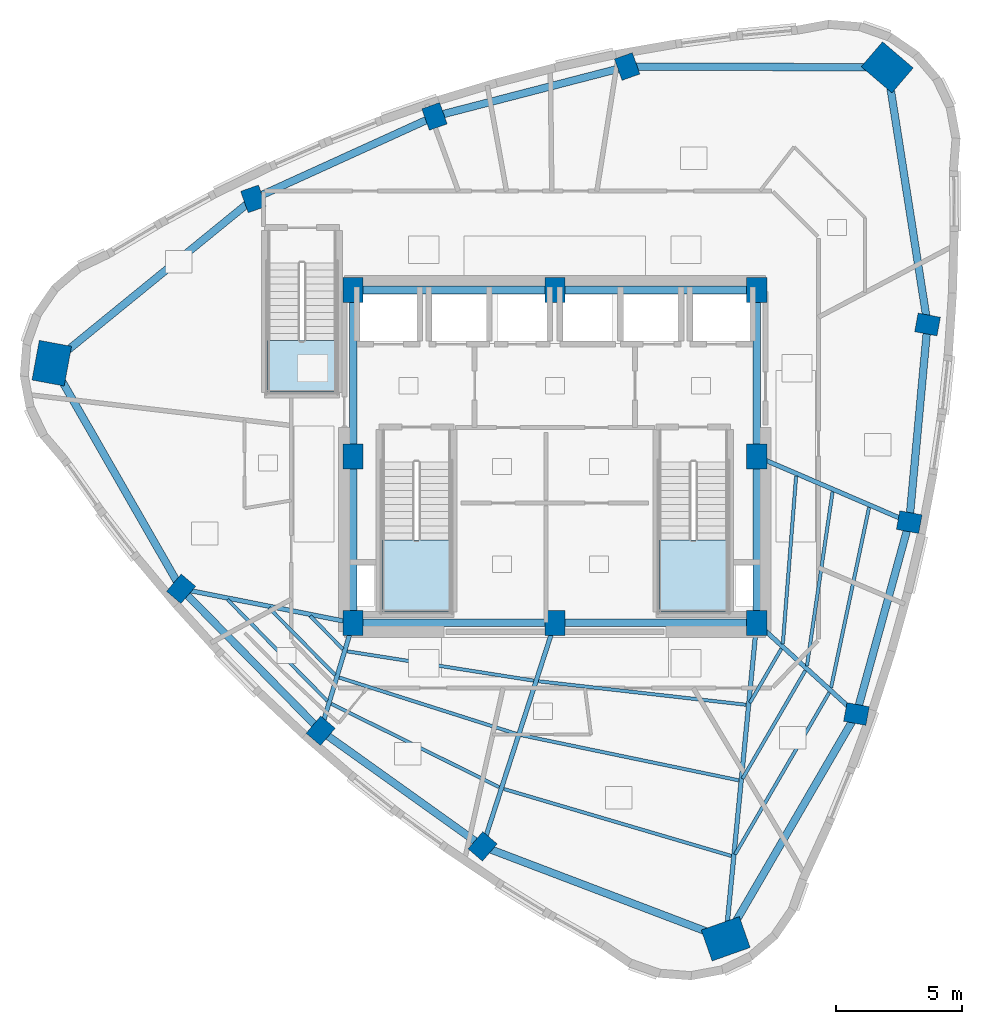
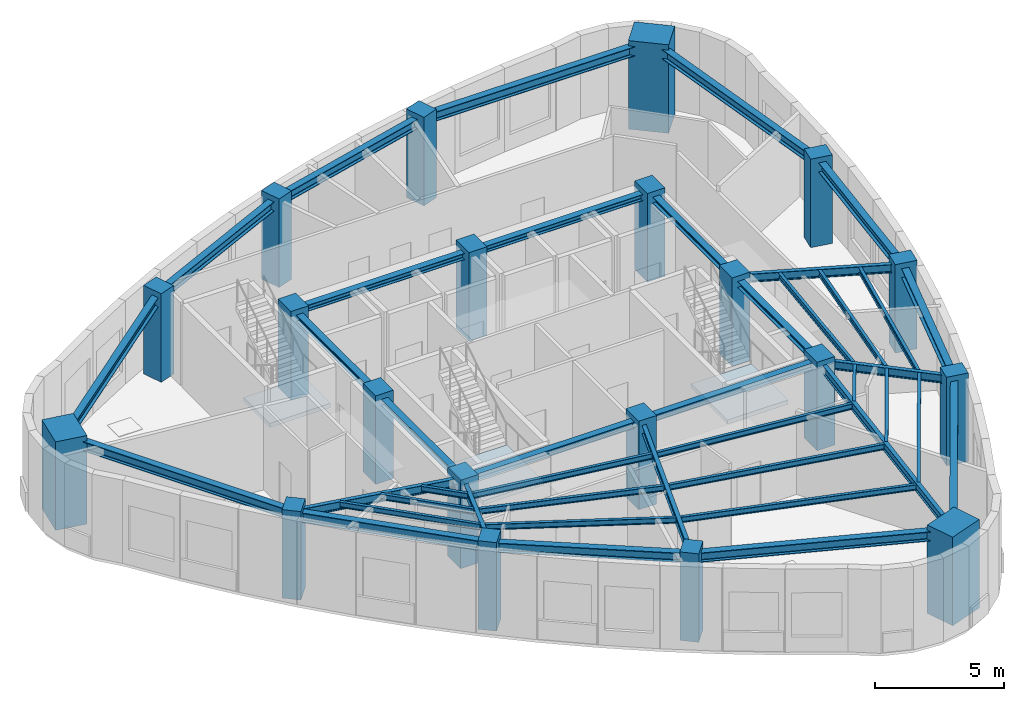
# One storey, part 1 of 9: 41 beams, 20 columns, 3 slabs, 3 elements without a shape of their own.
"""IFC4 building model written with IfcOpenShell, lengths in metres."""

from ifc_helpers import new_model, si_unit, direction, frame, origin, origin_2d, place, context, subcontext, project, spatial, polyline, rectangle, i_section, outline, extrude, material, layer, layer_set, material_profile, profile_set, type_object, element, aggregate, save


model = new_model("IFC4")

# Units and contexts
model_context = context("Model", 3, precision=1e-05, world=origin(), true_north=direction((0.0, 1.0)))
body_context = subcontext(model_context, "Body", "Model", "MODEL_VIEW")
ifc_project = project(units=[si_unit("LENGTHUNIT", "METRE"), si_unit("AREAUNIT", "SQUARE_METRE"), si_unit("VOLUMEUNIT", "CUBIC_METRE"), si_unit("PLANEANGLEUNIT", "RADIAN"), si_unit("MASSUNIT", "GRAM", prefix="KILO")], contexts=[model_context])

# Site, building, storey
site_placement = place(None, origin())
site = spatial("IfcSite", under=ifc_project, at=site_placement, CompositionType="ELEMENT")
building_placement = place(site_placement, origin())
building = spatial("IfcBuilding", under=site, at=building_placement, Name="Ndelora Gate Hotel", CompositionType="ELEMENT")
storey_placement = place(building_placement, frame((0.0, 0.0, 264.39990234375)))
storey = spatial("IfcBuildingStorey", under=building, at=storey_placement, Name="L66", CompositionType="ELEMENT", Elevation=264.39990234375)

# Columns
ifc_material_1 = material(Name="Concrete C50/60", Category="concrete")
ifc_material_profile_1 = material_profile(ifc_material_1, rectangle(XDim=0.800048828125, YDim=1.0, at=origin_2d()), Name="RC 1000x800")
ifc_profile_set_1 = profile_set([ifc_material_profile_1], Name="Concrete C50/60")
column_type_1 = type_object("IfcColumnType", Name="COL-CC-HI", PredefinedType="COLUMN", material=ifc_profile_set_1)
for number, where, z_axis, x_axis, name in (
    (1, (-8.0, -6.60009765625, 0.0), (0.0, 0.0, 1.0), (1.0, 0.0, 0.0), "L66 Core Column CC1"),
    (2, (0.0, -6.60009765625, 0.0), (0.0, 0.0, 1.0), (1.0, 0.0, 0.0), "L66 Core Column CC2"),
    (3, (8.0, -6.60009765625, 0.0), (0.0, 0.0, 1.0), (1.0, 0.0, 0.0), "L66 Core Column CC3"),
    (4, (8.0, 0.0, 0.0), (0.0, 0.0, 1.0), (1.0, 0.0, 0.0), "L66 Core Column CC4"),
    (5, (8.0, 6.60009765625, 0.0), (0.0, 0.0, 1.0), (1.0, 0.0, 0.0), "L66 Core Column CC5"),
    (6, (0.0, 6.60009765625, 0.0), (0.0, 0.0, 1.0), (1.0, 0.0, 0.0), "L66 Core Column CC6"),
    (7, (-8.0, 6.60009765625, 0.0), (0.0, 0.0, 1.0), (1.0, 0.0, 0.0), "L66 Core Column CC7"),
    (8, (-8.0, 0.0, 0.0), (0.0, 0.0, 1.0), (1.0, 0.0, 0.0), "L66 Core Column CC8"),
):
    element("IfcColumn", number, at=place(storey_placement, frame(where, z_axis=z_axis, x_axis=x_axis)), inside=storey, type_object=column_type_1, Name=name, PredefinedType="COLUMN", context=body_context, shape_type="SweptSolid", body=[
        extrude(rectangle(XDim=0.800048828125, YDim=1.0, at=origin_2d()), origin(), (0.0, 0.0, 1.0), 4.2001953125),
    ])
ifc_material_profile_2 = material_profile(ifc_material_1, rectangle(XDim=1.300048828125, YDim=1.60009765625, at=origin_2d()), Name="RC 1600x1300")
ifc_profile_set_2 = profile_set([ifc_material_profile_2], Name="Concrete C50/60")
column_type_2 = type_object("IfcColumnType", Name="COL-MC-Z4", PredefinedType="COLUMN", material=ifc_profile_set_2)
for number, where, z_axis, x_axis, name in (
    (9, (-19.949951171875, 3.697509765625, 0.0), (0.0, 0.0, 1.0), (-0.983254907564, 0.182235525492, 0.0), "L66 Corner Mega-Column R1"),
    (10, (6.772705078125, -19.1259765625, 0.0), (0.0, 0.0, 1.0), (-0.333806859234, 0.942641491092, 0.0), "L66 Corner Mega-Column R5"),
    (11, (13.177001953125, 15.428466796875, 0.0), (0.0, 0.0, 1.0), (0.64944804833, 0.7604059656, 0.0), "L66 Corner Mega-Column R9"),
):
    element("IfcColumn", number, at=place(storey_placement, frame(where, z_axis=z_axis, x_axis=x_axis)), inside=storey, type_object=column_type_2, Name=name, PredefinedType="COLUMN", context=body_context, shape_type="SweptSolid", body=[
        extrude(rectangle(XDim=1.300048828125, YDim=1.60009765625, at=origin_2d()), origin(), (0.0, 0.0, 1.0), 4.2001953125),
    ])
ifc_material_profile_3 = material_profile(ifc_material_1, rectangle(XDim=0.75, YDim=0.89990234375, at=origin_2d()), Name="RC 900x750")
ifc_profile_set_3 = profile_set([ifc_material_profile_3], Name="Concrete C50/60")
column_type_3 = type_object("IfcColumnType", Name="COL-PT-Z4", PredefinedType="COLUMN", material=ifc_profile_set_3)
for number, where, z_axis, x_axis, name in (
    (12, (-14.822509765625, -5.248779296875, 0.0), (0.0, 0.0, 1.0), (-0.7604059656, 0.64944804833, 0.0), "L66 Perimeter Tube Column R2"),
    (13, (-9.2890625, -10.876220703125, 0.0), (0.0, 0.0, 1.0), (-0.7604059656, 0.64944804833, 0.0), "L66 Perimeter Tube Column R3"),
    (14, (-2.865478515625, -15.461181640625, 0.0), (0.0, 0.0, 1.0), (-0.7604059656, 0.64944804833, 0.0), "L66 Perimeter Tube Column R4"),
    (15, (11.956787109375, -10.212158203125, 0.0), (0.0, 0.0, 1.0), (0.182235525492, 0.983254907564, 0.0), "L66 Perimeter Tube Column R6"),
    (16, (14.0498046875, -2.60400390625, 0.0), (0.0, 0.0, 1.0), (0.182235525492, 0.983254907564, 0.0), "L66 Perimeter Tube Column R7"),
    (17, (14.77490234375, 5.232177734375, 0.0), (0.0, 0.0, 1.0), (0.182235525492, 0.983254907564, 0.0), "L66 Perimeter Tube Column R8"),
    (18, (2.865478515625, 15.461181640625, 0.0), (0.0, 0.0, 1.0), (0.942641491092, 0.333806859234, 0.0), "L66 Perimeter Tube Column R10"),
    (19, (-4.7744140625, 13.482666015625, 0.0), (0.0, 0.0, 1.0), (0.942641491092, 0.333806859234, 0.0), "L66 Perimeter Tube Column R11"),
    (20, (-11.956787109375, 10.212158203125, 0.0), (0.0, 0.0, 1.0), (0.942641491092, 0.333806859234, 0.0), "L66 Perimeter Tube Column R12"),
):
    element("IfcColumn", number, at=place(storey_placement, frame(where, z_axis=z_axis, x_axis=x_axis)), inside=storey, type_object=column_type_3, Name=name, PredefinedType="COLUMN", context=body_context, shape_type="SweptSolid", body=[
        extrude(rectangle(XDim=0.75, YDim=0.89990234375, at=origin_2d()), origin(), (0.0, 0.0, 1.0), 4.2001953125),
    ])

# Beams
ifc_material_2 = material(Name="Steel S355", Category="steel")
ifc_material_profile_4 = material_profile(ifc_material_2, i_section(OverallWidth=0.300048828125, OverallDepth=0.300048828125, WebThickness=0.010986328125, FlangeThickness=0.01904296875, FilletRadius=0.027099609375, at=origin_2d()), Name="HEB 300")
ifc_profile_set_4 = profile_set([ifc_material_profile_4], Name="Steel S355")
beam_type_1 = type_object("IfcBeamType", Name="BM-CORE-300", PredefinedType="BEAM", material=ifc_profile_set_4)
for number, where, z_axis, x_axis, name in (
    (21, (-8.0, 6.60009765625, 3.800048828125), (1.0, 0.0, 0.0), (0.0, 1.0, 0.0), "L66 Core Tie Girder CC7-CC6"),
    (22, (0.0, 6.60009765625, 3.800048828125), (1.0, 0.0, 0.0), (0.0, 1.0, 0.0), "L66 Core Tie Girder CC6-CC5"),
):
    element("IfcBeam", number, at=place(storey_placement, frame(where, z_axis=z_axis, x_axis=x_axis)), inside=storey, type_object=beam_type_1, Name=name, PredefinedType="BEAM", context=body_context, shape_type="SweptSolid", body=[
        extrude(i_section(OverallWidth=0.300048828125, OverallDepth=0.300048828125, WebThickness=0.010986328125, FlangeThickness=0.01904296875, FilletRadius=0.027099609375, at=origin_2d()), origin(), (0.0, 0.0, 1.0), 8.0),
    ])
for number, where, z_axis, x_axis, name in (
    (23, (-8.0, -6.60009765625, 3.800048828125), (0.0, 1.0, 0.0), (-1.0, 0.0, 0.0), "L66 Core Tie Girder CC1-CC8"),
    (24, (-8.0, 0.0, 3.800048828125), (0.0, 1.0, 0.0), (-1.0, 0.0, 0.0), "L66 Core Tie Girder CC8-CC7"),
    (25, (8.0, -6.60009765625, 3.800048828125), (0.0, 1.0, 0.0), (-1.0, 0.0, 0.0), "L66 Core Tie Girder CC3-CC4"),
    (26, (8.0, 0.0, 3.800048828125), (0.0, 1.0, 0.0), (-1.0, 0.0, 0.0), "L66 Core Tie Girder CC4-CC5"),
):
    element("IfcBeam", number, at=place(storey_placement, frame(where, z_axis=z_axis, x_axis=x_axis)), inside=storey, type_object=beam_type_1, Name=name, PredefinedType="BEAM", context=body_context, shape_type="SweptSolid", body=[
        extrude(i_section(OverallWidth=0.300048828125, OverallDepth=0.300048828125, WebThickness=0.010986328125, FlangeThickness=0.01904296875, FilletRadius=0.027099609375, at=origin_2d()), origin(), (0.0, 0.0, 1.0), 6.60009765625),
    ])
for number, where, z_axis, x_axis, name in (
    (27, (-8.0, -6.60009765625, 3.800048828125), (1.0, 0.0, 0.0), (0.0, 1.0, 0.0), "L66 Core Tie Girder CC1-CC2"),
    (28, (0.0, -6.60009765625, 3.800048828125), (1.0, 0.0, 0.0), (0.0, 1.0, 0.0), "L66 Core Tie Girder CC2-CC3"),
):
    element("IfcBeam", number, at=place(storey_placement, frame(where, z_axis=z_axis, x_axis=x_axis)), inside=storey, type_object=beam_type_1, Name=name, PredefinedType="BEAM", context=body_context, shape_type="SweptSolid", body=[
        extrude(i_section(OverallWidth=0.300048828125, OverallDepth=0.300048828125, WebThickness=0.010986328125, FlangeThickness=0.01904296875, FilletRadius=0.027099609375, at=origin_2d()), origin(), (0.0, 0.0, 1.0), 8.0),
    ])
ifc_material_profile_5 = material_profile(ifc_material_2, i_section(OverallWidth=0.135009765625, OverallDepth=0.27001953125, WebThickness=0.006591796875, FlangeThickness=0.01025390625, FilletRadius=0.014892578125, at=origin_2d()), Name="IPE 270")
ifc_profile_set_5 = profile_set([ifc_material_profile_5], Name="Steel S355")
beam_type_2 = type_object("IfcBeamType", Name="BM-JST-270", PredefinedType="JOIST", material=ifc_profile_set_5)
beam_1_placement = place(storey_placement, frame((-9.70361328125, -6.320068359375, 3.815185546875), z_axis=(0.701148889104, -0.713014891365, 0.0), x_axis=(0.713014891365, 0.701148889104, 0.0)))
element("IfcBeam", 29, at=beam_1_placement, inside=storey, type_object=beam_type_2, Name="L66 Secondary Composite Floor Joist IN-2", PredefinedType="JOIST", context=body_context, shape_type="SweptSolid", body=[
    extrude(i_section(OverallWidth=0.135009765625, OverallDepth=0.27001953125, WebThickness=0.006591796875, FlangeThickness=0.01025390625, FilletRadius=0.014892578125, at=origin_2d()), origin(), (0.0, 0.0, 1.0), 1.851806640625),
])
beam_2_placement = place(storey_placement, frame((-11.341064453125, -5.995849609375, 3.815185546875), z_axis=(0.701150996754, -0.713012818785, 0.0), x_axis=(0.713012818785, 0.701150996754, 0.0)))
element("IfcBeam", 30, at=beam_2_placement, inside=storey, type_object=beam_type_2, Name="L66 Secondary Composite Floor Joist MID-2", PredefinedType="JOIST", context=body_context, shape_type="SweptSolid", body=[
    extrude(i_section(OverallWidth=0.135009765625, OverallDepth=0.27001953125, WebThickness=0.006591796875, FlangeThickness=0.01025390625, FilletRadius=0.014892578125, at=origin_2d()), origin(), (0.0, 0.0, 1.0), 3.745849609375),
])
beam_3_placement = place(storey_placement, frame((-12.978515625, -5.67138671875, 3.815185546875), z_axis=(0.701130048955, -0.713033417486, 0.0), x_axis=(0.713033417486, 0.701130048955, 0.0)))
element("IfcBeam", 31, at=beam_3_placement, inside=storey, type_object=beam_type_2, Name="L66 Secondary Composite Floor Joist OUT-2", PredefinedType="JOIST", context=body_context, shape_type="SweptSolid", body=[
    extrude(i_section(OverallWidth=0.135009765625, OverallDepth=0.27001953125, WebThickness=0.006591796875, FlangeThickness=0.01025390625, FilletRadius=0.014892578125, at=origin_2d()), origin(), (0.0, 0.0, 1.0), 5.640380859375),
])
beam_4_placement = place(storey_placement, frame((-8.236328125, -7.727294921875, 3.815185546875), z_axis=(0.987888558734, -0.155165058961, 0.0), x_axis=(0.155165058961, 0.987888558734, 0.0)))
element("IfcBeam", 32, at=beam_4_placement, inside=storey, type_object=beam_type_2, Name="L66 Secondary Composite Floor Joist IN-3", PredefinedType="JOIST", context=body_context, shape_type="SweptSolid", body=[
    extrude(i_section(OverallWidth=0.135009765625, OverallDepth=0.27001953125, WebThickness=0.006591796875, FlangeThickness=0.01025390625, FilletRadius=0.014892578125, at=origin_2d()), origin(), (0.0, 0.0, 1.0), 7.483154296875),
])
beam_5_placement = place(storey_placement, frame((-8.54931640625, -8.768310546875, 3.815185546875), z_axis=(0.95300799864, -0.302945134517, 0.0), x_axis=(0.302945134517, 0.95300799864, 0.0)))
element("IfcBeam", 33, at=beam_5_placement, inside=storey, type_object=beam_type_2, Name="L66 Secondary Composite Floor Joist MID-3", PredefinedType="JOIST", context=body_context, shape_type="SweptSolid", body=[
    extrude(i_section(OverallWidth=0.135009765625, OverallDepth=0.27001953125, WebThickness=0.006591796875, FlangeThickness=0.01025390625, FilletRadius=0.014892578125, at=origin_2d()), origin(), (0.0, 0.0, 1.0), 7.367431640625),
])
beam_6_placement = place(storey_placement, frame((-8.864501953125, -9.808837890625, 3.815185546875), z_axis=(0.895678939113, -0.444701290788, 0.0), x_axis=(0.444701290788, 0.895678939113, 0.0)))
element("IfcBeam", 34, at=beam_6_placement, inside=storey, type_object=beam_type_2, Name="L66 Secondary Composite Floor Joist OUT-3", PredefinedType="JOIST", context=body_context, shape_type="SweptSolid", body=[
    extrude(i_section(OverallWidth=0.135009765625, OverallDepth=0.27001953125, WebThickness=0.006591796875, FlangeThickness=0.01025390625, FilletRadius=0.014892578125, at=origin_2d()), origin(), (0.0, 0.0, 1.0), 7.4296875),
])
beam_7_placement = place(storey_placement, frame((-0.645751953125, -8.9150390625, 3.815185546875), z_axis=(0.993666082795, -0.112373110227, 0.0), x_axis=(0.112373110227, 0.993666082795, 0.0)))
element("IfcBeam", 35, at=beam_7_placement, inside=storey, type_object=beam_type_2, Name="L66 Secondary Composite Floor Joist IN-4", PredefinedType="JOIST", context=body_context, shape_type="SweptSolid", body=[
    extrude(i_section(OverallWidth=0.135009765625, OverallDepth=0.27001953125, WebThickness=0.006591796875, FlangeThickness=0.01025390625, FilletRadius=0.014892578125, at=origin_2d()), origin(), (0.0, 0.0, 1.0), 8.27978515625),
])
beam_8_placement = place(storey_placement, frame((-1.334716796875, -11.05078125, 3.815185546875), z_axis=(0.979088439748, -0.203435068637, 0.0), x_axis=(0.203435068637, 0.979088439748, 0.0)))
element("IfcBeam", 36, at=beam_8_placement, inside=storey, type_object=beam_type_2, Name="L66 Secondary Composite Floor Joist MID-4", PredefinedType="JOIST", context=body_context, shape_type="SweptSolid", body=[
    extrude(i_section(OverallWidth=0.135009765625, OverallDepth=0.27001953125, WebThickness=0.006591796875, FlangeThickness=0.01025390625, FilletRadius=0.014892578125, at=origin_2d()), origin(), (0.0, 0.0, 1.0), 8.807373046875),
])
beam_9_placement = place(storey_placement, frame((-2.0244140625, -13.185546875, 3.815185546875), z_axis=(0.959300565601, -0.282387012517, 0.0), x_axis=(0.282387012517, 0.959300565601, 0.0)))
element("IfcBeam", 37, at=beam_9_placement, inside=storey, type_object=beam_type_2, Name="L66 Secondary Composite Floor Joist OUT-4", PredefinedType="JOIST", context=body_context, shape_type="SweptSolid", body=[
    extrude(i_section(OverallWidth=0.135009765625, OverallDepth=0.27001953125, WebThickness=0.006591796875, FlangeThickness=0.01025390625, FilletRadius=0.014892578125, at=origin_2d()), origin(), (0.0, 0.0, 1.0), 9.403076171875),
])
beam_10_placement = place(storey_placement, frame((7.731201171875, -9.770263671875, 3.815185546875), z_axis=(0.502726490322, 0.864445530921, 0.0), x_axis=(-0.864445530921, 0.502726490322, 0.0)))
element("IfcBeam", 38, at=beam_10_placement, inside=storey, type_object=beam_type_2, Name="L66 Secondary Composite Floor Joist IN-5", PredefinedType="JOIST", context=body_context, shape_type="SweptSolid", body=[
    extrude(i_section(OverallWidth=0.135009765625, OverallDepth=0.27001953125, WebThickness=0.006591796875, FlangeThickness=0.01025390625, FilletRadius=0.014892578125, at=origin_2d()), origin(), (0.0, 0.0, 1.0), 2.481201171875),
])
beam_11_placement = place(storey_placement, frame((7.436767578125, -12.776611328125, 3.815185546875), z_axis=(0.50271891842, 0.864449934388, 0.0), x_axis=(-0.864449934388, 0.50271891842, 0.0)))
element("IfcBeam", 39, at=beam_11_placement, inside=storey, type_object=beam_type_2, Name="L66 Secondary Composite Floor Joist MID-5", PredefinedType="JOIST", context=body_context, shape_type="SweptSolid", body=[
    extrude(i_section(OverallWidth=0.135009765625, OverallDepth=0.27001953125, WebThickness=0.006591796875, FlangeThickness=0.01025390625, FilletRadius=0.014892578125, at=origin_2d()), origin(), (0.0, 0.0, 1.0), 4.9560546875),
])
beam_12_placement = place(storey_placement, frame((7.14208984375, -15.78271484375, 3.815185546875), z_axis=(0.502744947519, 0.864434796699, 0.0), x_axis=(-0.864434796699, 0.502744947519, 0.0)))
element("IfcBeam", 40, at=beam_12_placement, inside=storey, type_object=beam_type_2, Name="L66 Secondary Composite Floor Joist OUT-5", PredefinedType="JOIST", context=body_context, shape_type="SweptSolid", body=[
    extrude(i_section(OverallWidth=0.135009765625, OverallDepth=0.27001953125, WebThickness=0.006591796875, FlangeThickness=0.01025390625, FilletRadius=0.014892578125, at=origin_2d()), origin(), (0.0, 0.0, 1.0), 7.430419921875),
])
beam_13_placement = place(storey_placement, frame((9.03662109375, -7.439453125, 3.815185546875), z_axis=(0.079081730742, 0.996868135644, 0.0), x_axis=(-0.996868135644, 0.079081730742, 0.0)))
element("IfcBeam", 41, at=beam_13_placement, inside=storey, type_object=beam_type_2, Name="L66 Secondary Composite Floor Joist IN-6", PredefinedType="JOIST", context=body_context, shape_type="SweptSolid", body=[
    extrude(i_section(OverallWidth=0.135009765625, OverallDepth=0.27001953125, WebThickness=0.006591796875, FlangeThickness=0.01025390625, FilletRadius=0.014892578125, at=origin_2d()), origin(), (0.0, 0.0, 1.0), 6.683837890625),
])
beam_14_placement = place(storey_placement, frame((9.992919921875, -8.30712890625, 3.815185546875), z_axis=(0.145767847032, 0.989318823621, 0.0), x_axis=(-0.989318823621, 0.145767847032, 0.0)))
element("IfcBeam", 42, at=beam_14_placement, inside=storey, type_object=beam_type_2, Name="L66 Secondary Composite Floor Joist MID-6", PredefinedType="JOIST", context=body_context, shape_type="SweptSolid", body=[
    extrude(i_section(OverallWidth=0.135009765625, OverallDepth=0.27001953125, WebThickness=0.006591796875, FlangeThickness=0.01025390625, FilletRadius=0.014892578125, at=origin_2d()), origin(), (0.0, 0.0, 1.0), 6.980712890625),
])
beam_15_placement = place(storey_placement, frame((10.94873046875, -9.17529296875, 3.815185546875), z_axis=(0.206301761085, 0.978488417598, 0.0), x_axis=(-0.978488417598, 0.206301761085, 0.0)))
element("IfcBeam", 43, at=beam_15_placement, inside=storey, type_object=beam_type_2, Name="L66 Secondary Composite Floor Joist OUT-6", PredefinedType="JOIST", context=body_context, shape_type="SweptSolid", body=[
    extrude(i_section(OverallWidth=0.135009765625, OverallDepth=0.27001953125, WebThickness=0.006591796875, FlangeThickness=0.01025390625, FilletRadius=0.014892578125, at=origin_2d()), origin(), (0.0, 0.0, 1.0), 7.3076171875),
])
ifc_material_profile_6 = material_profile(ifc_material_2, i_section(OverallWidth=0.179931640625, OverallDepth=0.39990234375, WebThickness=0.008544921875, FlangeThickness=0.013427734375, FilletRadius=0.02099609375, at=origin_2d()), Name="IPE 400")
ifc_profile_set_6 = profile_set([ifc_material_profile_6], Name="Steel S355")
beam_type_3 = type_object("IfcBeamType", Name="BM-RAD-400", PredefinedType="BEAM", material=ifc_profile_set_6)
beam_16_placement = place(storey_placement, frame((-8.0, -6.60009765625, 3.75), z_axis=(-0.980943509294, 0.194293158846, 0.0), x_axis=(-0.194293158846, -0.980943509294, 0.0)))
element("IfcBeam", 44, at=beam_16_placement, inside=storey, type_object=beam_type_3, Name="L66 Radial Floor Girder 2", PredefinedType="BEAM", context=body_context, shape_type="SweptSolid", body=[
    extrude(i_section(OverallWidth=0.179931640625, OverallDepth=0.39990234375, WebThickness=0.008544921875, FlangeThickness=0.013427734375, FilletRadius=0.02099609375, at=origin_2d()), origin(), (0.0, 0.0, 1.0), 6.955078125),
])
beam_17_placement = place(storey_placement, frame((-8.0, -6.60009765625, 3.75), z_axis=(-0.288626468578, -0.957441779763, 0.0), x_axis=(0.957441779763, -0.288626468578, 0.0)))
element("IfcBeam", 45, at=beam_17_placement, inside=storey, type_object=beam_type_3, Name="L66 Radial Floor Girder 3", PredefinedType="BEAM", context=body_context, shape_type="SweptSolid", body=[
    extrude(i_section(OverallWidth=0.179931640625, OverallDepth=0.39990234375, WebThickness=0.008544921875, FlangeThickness=0.013427734375, FilletRadius=0.02099609375, at=origin_2d()), origin(), (0.0, 0.0, 1.0), 4.46630859375),
])
beam_18_placement = place(storey_placement, frame((0.0, -6.60009765625, 3.75), z_axis=(-0.307689759964, -0.951486737487, 0.0), x_axis=(0.951486737487, -0.307689759964, 0.0)))
element("IfcBeam", 46, at=beam_18_placement, inside=storey, type_object=beam_type_3, Name="L66 Radial Floor Girder 4", PredefinedType="BEAM", context=body_context, shape_type="SweptSolid", body=[
    extrude(i_section(OverallWidth=0.179931640625, OverallDepth=0.39990234375, WebThickness=0.008544921875, FlangeThickness=0.013427734375, FilletRadius=0.02099609375, at=origin_2d()), origin(), (0.0, 0.0, 1.0), 9.31298828125),
])
beam_19_placement = place(storey_placement, frame((8.0, -6.60009765625, 3.75), z_axis=(-0.097513783863, -0.995234174432, 0.0), x_axis=(0.995234174432, -0.097513783863, 0.0)))
element("IfcBeam", 47, at=beam_19_placement, inside=storey, type_object=beam_type_3, Name="L66 Radial Floor Girder 5", PredefinedType="BEAM", context=body_context, shape_type="SweptSolid", body=[
    extrude(i_section(OverallWidth=0.179931640625, OverallDepth=0.39990234375, WebThickness=0.008544921875, FlangeThickness=0.013427734375, FilletRadius=0.02099609375, at=origin_2d()), origin(), (0.0, 0.0, 1.0), 12.5859375),
])
beam_20_placement = place(storey_placement, frame((8.0, -6.60009765625, 3.75), z_axis=(0.73854665752, -0.674202369223, 0.0), x_axis=(0.674202369223, 0.73854665752, 0.0)))
element("IfcBeam", 48, at=beam_20_placement, inside=storey, type_object=beam_type_3, Name="L66 Radial Floor Girder 6", PredefinedType="BEAM", context=body_context, shape_type="SweptSolid", body=[
    extrude(i_section(OverallWidth=0.179931640625, OverallDepth=0.39990234375, WebThickness=0.008544921875, FlangeThickness=0.013427734375, FilletRadius=0.02099609375, at=origin_2d()), origin(), (0.0, 0.0, 1.0), 5.357421875),
])
beam_21_placement = place(storey_placement, frame((8.0, 0.0, 3.75), z_axis=(0.918526539717, -0.395359324964, 0.0), x_axis=(0.395359324964, 0.918526539717, 0.0)))
element("IfcBeam", 49, at=beam_21_placement, inside=storey, type_object=beam_type_3, Name="L66 Radial Floor Girder 7", PredefinedType="BEAM", context=body_context, shape_type="SweptSolid", body=[
    extrude(i_section(OverallWidth=0.179931640625, OverallDepth=0.39990234375, WebThickness=0.008544921875, FlangeThickness=0.013427734375, FilletRadius=0.02099609375, at=origin_2d()), origin(), (0.0, 0.0, 1.0), 6.58642578125),
])
ifc_material_profile_7 = material_profile(ifc_material_2, i_section(OverallWidth=0.300048828125, OverallDepth=0.449951171875, WebThickness=0.013916015625, FlangeThickness=0.02587890625, FilletRadius=0.027099609375, at=origin_2d()), Name="HEB 450")
ifc_profile_set_7 = profile_set([ifc_material_profile_7], Name="Steel S355")
beam_type_4 = type_object("IfcBeamType", Name="BM-RING-450", PredefinedType="SPANDREL", material=ifc_profile_set_7)
beam_22_placement = place(storey_placement, frame((-19.949951171875, 3.697509765625, 3.72509765625), z_axis=(0.497255333538, -0.867604249222, 0.0), x_axis=(0.867604249222, 0.497255333538, 0.0)))
element("IfcBeam", 50, at=beam_22_placement, inside=storey, type_object=beam_type_4, Name="L66 Perimeter Spandrel Girder 1", PredefinedType="SPANDREL", context=body_context, shape_type="SweptSolid", body=[
    extrude(i_section(OverallWidth=0.300048828125, OverallDepth=0.449951171875, WebThickness=0.013916015625, FlangeThickness=0.02587890625, FilletRadius=0.027099609375, at=origin_2d()), origin(), (0.0, 0.0, 1.0), 10.3115234375),
])
beam_23_placement = place(storey_placement, frame((-14.822509765625, -5.248779296875, 3.72509765625), z_axis=(0.701126845775, -0.713036567179, 0.0), x_axis=(0.713036567179, 0.701126845775, 0.0)))
element("IfcBeam", 51, at=beam_23_placement, inside=storey, type_object=beam_type_4, Name="L66 Perimeter Spandrel Girder 2", PredefinedType="SPANDREL", context=body_context, shape_type="SweptSolid", body=[
    extrude(i_section(OverallWidth=0.300048828125, OverallDepth=0.449951171875, WebThickness=0.013916015625, FlangeThickness=0.02587890625, FilletRadius=0.027099609375, at=origin_2d()), origin(), (0.0, 0.0, 1.0), 7.892333984375),
])
beam_24_placement = place(storey_placement, frame((-9.2890625, -10.876220703125, 3.72509765625), z_axis=(0.813931993272, -0.580960162428, 0.0), x_axis=(0.580960162428, 0.813931993272, 0.0)))
element("IfcBeam", 52, at=beam_24_placement, inside=storey, type_object=beam_type_4, Name="L66 Perimeter Spandrel Girder 3", PredefinedType="SPANDREL", context=body_context, shape_type="SweptSolid", body=[
    extrude(i_section(OverallWidth=0.300048828125, OverallDepth=0.449951171875, WebThickness=0.013916015625, FlangeThickness=0.02587890625, FilletRadius=0.027099609375, at=origin_2d()), origin(), (0.0, 0.0, 1.0), 7.89208984375),
])
beam_25_placement = place(storey_placement, frame((-2.865478515625, -15.461181640625, 3.72509765625), z_axis=(0.934709973152, -0.355411403997, 0.0), x_axis=(0.355411403997, 0.934709973152, 0.0)))
element("IfcBeam", 53, at=beam_25_placement, inside=storey, type_object=beam_type_4, Name="L66 Perimeter Spandrel Girder 4", PredefinedType="SPANDREL", context=body_context, shape_type="SweptSolid", body=[
    extrude(i_section(OverallWidth=0.300048828125, OverallDepth=0.449951171875, WebThickness=0.013916015625, FlangeThickness=0.02587890625, FilletRadius=0.027099609375, at=origin_2d()), origin(), (0.0, 0.0, 1.0), 10.3115234375),
])
beam_26_placement = place(storey_placement, frame((6.772705078125, -19.1259765625, 3.72509765625), z_axis=(0.502738555714, 0.864438514065, 0.0), x_axis=(-0.864438514065, 0.502738555714, 0.0)))
element("IfcBeam", 54, at=beam_26_placement, inside=storey, type_object=beam_type_4, Name="L66 Perimeter Spandrel Girder 5", PredefinedType="SPANDREL", context=body_context, shape_type="SweptSolid", body=[
    extrude(i_section(OverallWidth=0.300048828125, OverallDepth=0.449951171875, WebThickness=0.013916015625, FlangeThickness=0.02587890625, FilletRadius=0.027099609375, at=origin_2d()), origin(), (0.0, 0.0, 1.0), 10.311767578125),
])
beam_27_placement = place(storey_placement, frame((11.956787109375, -10.212158203125, 3.72509765625), z_axis=(0.265247809385, 0.964180273401, 0.0), x_axis=(-0.964180273401, 0.265247809385, 0.0)))
element("IfcBeam", 55, at=beam_27_placement, inside=storey, type_object=beam_type_4, Name="L66 Perimeter Spandrel Girder 6", PredefinedType="SPANDREL", context=body_context, shape_type="SweptSolid", body=[
    extrude(i_section(OverallWidth=0.300048828125, OverallDepth=0.449951171875, WebThickness=0.013916015625, FlangeThickness=0.02587890625, FilletRadius=0.027099609375, at=origin_2d()), origin(), (0.0, 0.0, 1.0), 7.890869140625),
])
beam_28_placement = place(storey_placement, frame((14.0498046875, -2.60400390625, 3.72509765625), z_axis=(0.092138400608, 0.995746210203, 0.0), x_axis=(-0.995746210203, 0.092138400608, 0.0)))
element("IfcBeam", 56, at=beam_28_placement, inside=storey, type_object=beam_type_4, Name="L66 Perimeter Spandrel Girder 7", PredefinedType="SPANDREL", context=body_context, shape_type="SweptSolid", body=[
    extrude(i_section(OverallWidth=0.300048828125, OverallDepth=0.449951171875, WebThickness=0.013916015625, FlangeThickness=0.02587890625, FilletRadius=0.027099609375, at=origin_2d()), origin(), (0.0, 0.0, 1.0), 7.86962890625),
])
beam_29_placement = place(storey_placement, frame((14.77490234375, 5.232177734375, 3.72509765625), z_axis=(-0.154824264006, 0.987942026272, 0.0), x_axis=(-0.987942026272, -0.154824264006, 0.0)))
element("IfcBeam", 57, at=beam_29_placement, inside=storey, type_object=beam_type_4, Name="L66 Perimeter Spandrel Girder 8", PredefinedType="SPANDREL", context=body_context, shape_type="SweptSolid", body=[
    extrude(i_section(OverallWidth=0.300048828125, OverallDepth=0.449951171875, WebThickness=0.013916015625, FlangeThickness=0.02587890625, FilletRadius=0.027099609375, at=origin_2d()), origin(), (0.0, 0.0, 1.0), 10.32080078125),
])
beam_30_placement = place(storey_placement, frame((13.177001953125, 15.428466796875, 3.72509765625), z_axis=(-0.999994967187, 0.003172632958, 0.0), x_axis=(-0.003172632958, -0.999994967187, 0.0)))
element("IfcBeam", 58, at=beam_30_placement, inside=storey, type_object=beam_type_4, Name="L66 Perimeter Spandrel Girder 9", PredefinedType="SPANDREL", context=body_context, shape_type="SweptSolid", body=[
    extrude(i_section(OverallWidth=0.300048828125, OverallDepth=0.449951171875, WebThickness=0.013916015625, FlangeThickness=0.02587890625, FilletRadius=0.027099609375, at=origin_2d()), origin(), (0.0, 0.0, 1.0), 10.3115234375),
])
for number, where, z_axis, x_axis, name in (
    (59, (2.865478515625, 15.461181640625, 3.72509765625), (-0.968064499617, -0.250701265615, 0.0), (0.250701265615, -0.968064499617, 0.0), "L66 Perimeter Spandrel Girder 10"),
    (60, (-4.7744140625, 13.482666015625, 3.72509765625), (-0.910089762217, -0.414411178309, 0.0), (0.414411178309, -0.910089762217, 0.0), "L66 Perimeter Spandrel Girder 11"),
):
    element("IfcBeam", number, at=place(storey_placement, frame(where, z_axis=z_axis, x_axis=x_axis)), inside=storey, type_object=beam_type_4, Name=name, PredefinedType="SPANDREL", context=body_context, shape_type="SweptSolid", body=[
        extrude(i_section(OverallWidth=0.300048828125, OverallDepth=0.449951171875, WebThickness=0.013916015625, FlangeThickness=0.02587890625, FilletRadius=0.027099609375, at=origin_2d()), origin(), (0.0, 0.0, 1.0), 7.891845703125),
    ])
beam_31_placement = place(storey_placement, frame((-11.956787109375, 10.212158203125, 3.72509765625), z_axis=(-0.775154250258, -0.631772022416, 0.0), x_axis=(0.631772022416, -0.775154250258, 0.0)))
element("IfcBeam", 61, at=beam_31_placement, inside=storey, type_object=beam_type_4, Name="L66 Perimeter Spandrel Girder 12", PredefinedType="SPANDREL", context=body_context, shape_type="SweptSolid", body=[
    extrude(i_section(OverallWidth=0.300048828125, OverallDepth=0.449951171875, WebThickness=0.013916015625, FlangeThickness=0.02587890625, FilletRadius=0.027099609375, at=origin_2d()), origin(), (0.0, 0.0, 1.0), 10.311767578125),
])

# Stair, slab
ifc_material_3 = material(Name="Precast concrete C40/50", Category="concrete")
stair_type = type_object("IfcStairType", Name="STR-DOG-CORE", PredefinedType="HALF_TURN_STAIR", material=ifc_material_3)
stair_1_placement = place(storey_placement, origin())
stair_1 = element("IfcStair", 62, at=stair_1_placement, inside=storey, type_object=stair_type, Name="L66 Protected Core Exit Stair ST4", PredefinedType="HALF_TURN_STAIR")
ifc_layer = layer(ifc_material_3, 0.219970703125)
ifc_layer_set = layer_set([ifc_layer], Name="Precast concrete C40/50")
slab_type = type_object("IfcSlabType", Name="SL-LAND-220", PredefinedType="LANDING", material=ifc_layer_set)
slab_1_placement = place(storey_placement, frame((0.0, 0.0, 1.900146484375)))
slab_1 = element("IfcSlab", 63, at=slab_1_placement, type_object=slab_type, Name="ST4 landing 1", PredefinedType="LANDING", context=body_context, shape_type="SweptSolid", body=[
    extrude(outline(polyline([(-6.85009765625, -3.31005859375), (-6.85009765625, -6.14990234375), (-4.1298828125, -6.14990234375), (-4.1298828125, -3.31005859375), (-6.85009765625, -3.31005859375)])), origin(), (0.0, 0.0, 1.0), 0.199951171875),
])
aggregate(stair_1, [slab_1])

stair_2_placement = place(storey_placement, origin())
stair_2 = element("IfcStair", 64, at=stair_2_placement, inside=storey, type_object=stair_type, Name="L66 Protected Core Exit Stair ST5", PredefinedType="HALF_TURN_STAIR")
slab_2_placement = place(storey_placement, frame((0.0, 0.0, 1.900146484375)))
slab_2 = element("IfcSlab", 65, at=slab_2_placement, type_object=slab_type, Name="ST5 landing 1", PredefinedType="LANDING", context=body_context, shape_type="SweptSolid", body=[
    extrude(outline(polyline([(4.1298828125, -3.31005859375), (4.1298828125, -6.14990234375), (6.85009765625, -6.14990234375), (6.85009765625, -3.31005859375), (4.1298828125, -3.31005859375)])), origin(), (0.0, 0.0, 1.0), 0.199951171875),
])
aggregate(stair_2, [slab_2])

stair_3_placement = place(storey_placement, origin())
stair_3 = element("IfcStair", 66, at=stair_3_placement, inside=storey, type_object=stair_type, Name="L66 Crown Observation Exit Stair ST6", PredefinedType="HALF_TURN_STAIR")
slab_3_placement = place(storey_placement, frame((0.0, 0.0, 1.900146484375)))
slab_3 = element("IfcSlab", 67, at=slab_3_placement, type_object=slab_type, Name="ST6 landing 1", PredefinedType="LANDING", context=body_context, shape_type="SweptSolid", body=[
    extrude(outline(polyline([(-11.389892578125, 4.590087890625), (-11.389892578125, 2.550048828125), (-8.669921875, 2.550048828125), (-8.669921875, 4.590087890625), (-11.389892578125, 4.590087890625)])), origin(), (0.0, 0.0, 1.0), 0.199951171875),
])
aggregate(stair_3, [slab_3])

save(model, "model.ifc")
